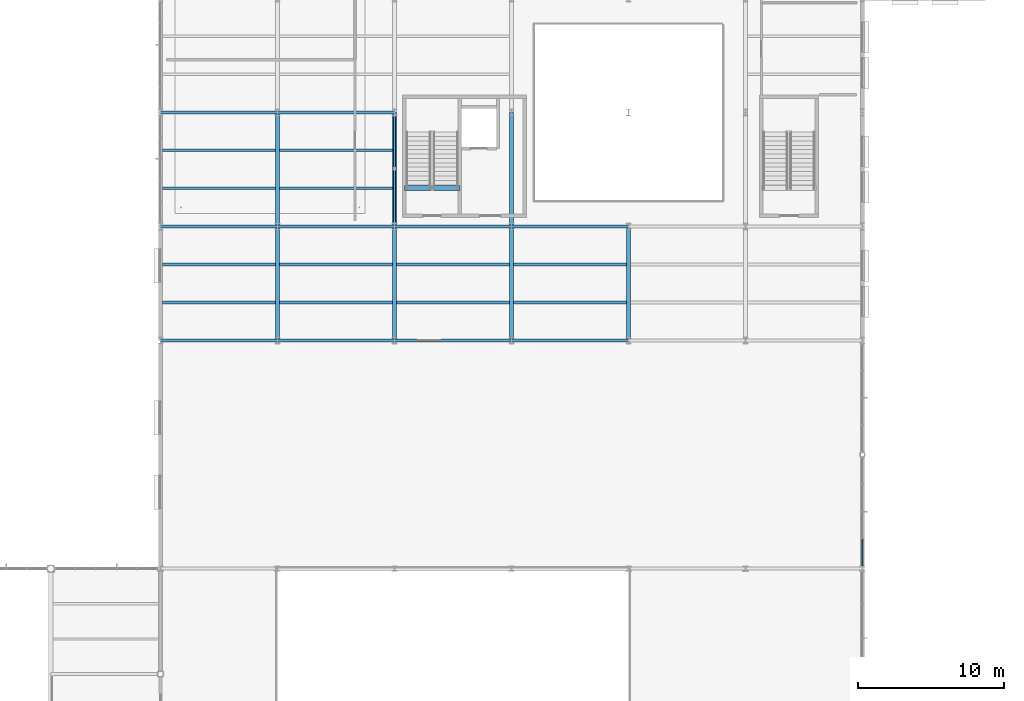
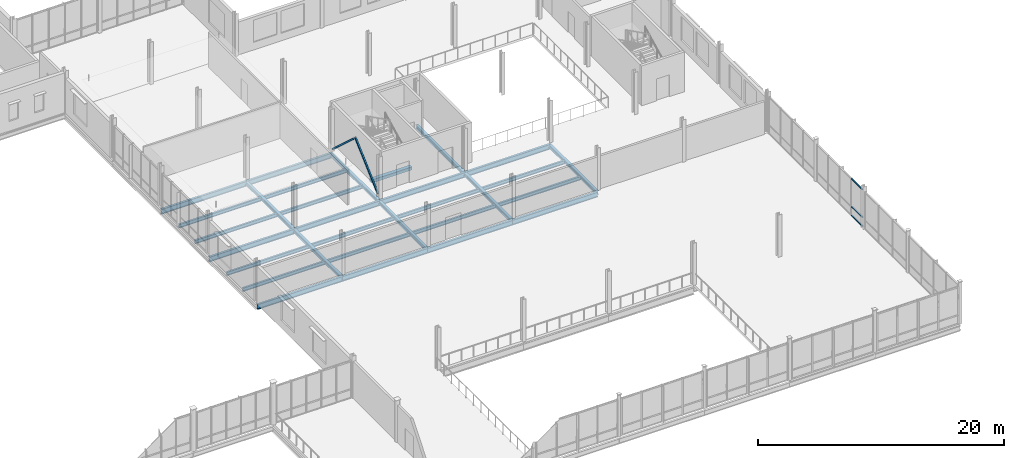
# One storey, part 30 of 75: 30 beams, 5 members, 1 element without a shape of its own.
"""IFC4 building model written with IfcOpenShell, lengths in metres."""

from ifc_helpers import new_model, si_unit, direction, frame, origin, origin_2d, place, context, subcontext, project, spatial, rectangle, hollow_rectangle, i_section, extrude, material, layer, layer_set, material_profile, profile_set, type_object, element, aggregate, save


model = new_model("IFC4")

# Units and contexts
model_context = context("Model", 3, precision=1e-05, world=origin(), true_north=direction((0.0, 1.0)))
body_context = subcontext(model_context, "Body", "Model", "MODEL_VIEW")
ifc_project = project(units=[si_unit("LENGTHUNIT", "METRE"), si_unit("AREAUNIT", "SQUARE_METRE"), si_unit("VOLUMEUNIT", "CUBIC_METRE"), si_unit("PLANEANGLEUNIT", "RADIAN"), si_unit("MASSUNIT", "GRAM", prefix="KILO")], contexts=[model_context])

# Site, building, storey
site_placement = place(None, origin())
site = spatial("IfcSite", under=ifc_project, at=site_placement, CompositionType="ELEMENT")
building_placement = place(site_placement, origin())
building = spatial("IfcBuilding", under=site, at=building_placement, Name="Yukiwa Park Conservatory and Herbarium", CompositionType="ELEMENT")
storey_placement = place(building_placement, frame((0.0, 0.0, 4.800048828125)))
storey = spatial("IfcBuildingStorey", under=building, at=storey_placement, Name="L01", CompositionType="ELEMENT", Elevation=4.800048828125)

# Beams
ifc_material_1 = material(Name="Steel Q355D", Category="steel")
ifc_material_profile_1 = material_profile(ifc_material_1, i_section(OverallWidth=0.25, OverallDepth=0.340087890625, WebThickness=0.009033203125, FlangeThickness=0.013916015625, FilletRadius=0.02001953125, at=origin_2d()), Name="HM 340x250x9x14")
ifc_profile_set_1 = profile_set([ifc_material_profile_1], Name="Steel Q355D")
beam_type_1 = type_object("IfcBeamType", Name="BM-GRD-HM340", PredefinedType="BEAM", material=ifc_profile_set_1)
for number, where, z_axis, x_axis, name in (
    (1, (68.0, 46.805908203125, -0.41015625), (0.0, 1.0, 0.0), (-1.0, 0.0, 0.0), "L01 grid girder Y-127"),
    (2, (68.0, 54.60595703125, -0.41015625), (0.0, 1.0, 0.0), (-1.0, 0.0, 0.0), "L01 grid girder Y-128"),
    (3, (76.0, 46.805908203125, -0.41015625), (0.0, 1.0, 0.0), (-1.0, 0.0, 0.0), "L01 grid girder Y-132"),
    (4, (76.0, 54.60595703125, -0.41015625), (0.0, 1.0, 0.0), (-1.0, 0.0, 0.0), "L01 grid girder Y-133"),
    (5, (84.0, 46.805908203125, -0.41015625), (0.0, 1.0, 0.0), (-1.0, 0.0, 0.0), "L01 grid girder Y-137"),
    (6, (84.0, 54.60595703125, -0.41015625), (0.0, 1.0, 0.0), (-1.0, 0.0, 0.0), "L01 grid girder Y-138"),
    (7, (92.0, 46.805908203125, -0.41015625), (0.0, 1.0, 0.0), (-1.0, 0.0, 0.0), "L01 grid girder Y-141"),
):
    element("IfcBeam", number, at=place(storey_placement, frame(where, z_axis=z_axis, x_axis=x_axis)), inside=storey, type_object=beam_type_1, Name=name, PredefinedType="BEAM", context=body_context, shape_type="SweptSolid", body=[
        extrude(i_section(OverallWidth=0.25, OverallDepth=0.340087890625, WebThickness=0.009033203125, FlangeThickness=0.013916015625, FilletRadius=0.02001953125, at=origin_2d()), origin(), (0.0, 0.0, 1.0), 7.7880859375),
    ])
ifc_material_2 = material(Name="Steel Q355D", Category="steel")
ifc_material_profile_2 = material_profile(ifc_material_2, i_section(OverallWidth=0.199951171875, OverallDepth=0.5, WebThickness=0.010009765625, FlangeThickness=0.01611328125, FilletRadius=0.02001953125, at=origin_2d()), Name="HN 500x200x10x16")
ifc_profile_set_2 = profile_set([ifc_material_profile_2], Name="Steel Q355D")
beam_type_2 = type_object("IfcBeamType", Name="BM-GRD-HN500", PredefinedType="BEAM", material=ifc_profile_set_2)
for number, where, z_axis, x_axis, name in (
    (8, (60.006103515625, 46.800048828125, -0.489990234375), (1.0, 0.0, 0.0), (0.0, 1.0, 0.0), "L01 grid beam X-32"),
    (9, (68.006103515625, 46.800048828125, -0.489990234375), (1.0, 0.0, 0.0), (0.0, 1.0, 0.0), "L01 grid beam X-33"),
    (10, (76.006103515625, 46.800048828125, -0.489990234375), (1.0, 0.0, 0.0), (0.0, 1.0, 0.0), "L01 grid beam X-34"),
    (11, (84.006103515625, 46.800048828125, -0.489990234375), (1.0, 0.0, 0.0), (0.0, 1.0, 0.0), "L01 grid beam X-35"),
    (12, (60.006103515625, 54.60009765625, -0.489990234375), (1.0, 0.0, 0.0), (0.0, 1.0, 0.0), "L01 grid beam X-38"),
    (13, (68.006103515625, 54.60009765625, -0.489990234375), (1.0, 0.0, 0.0), (0.0, 1.0, 0.0), "L01 grid beam X-39"),
    (14, (76.006103515625, 54.60009765625, -0.489990234375), (1.0, 0.0, 0.0), (0.0, 1.0, 0.0), "L01 grid beam X-40"),
    (15, (84.006103515625, 54.60009765625, -0.489990234375), (1.0, 0.0, 0.0), (0.0, 1.0, 0.0), "L01 grid beam X-41"),
    (16, (60.006103515625, 62.39990234375, -0.489990234375), (1.0, 0.0, 0.0), (0.0, 1.0, 0.0), "L01 grid beam X-44"),
    (17, (68.006103515625, 62.39990234375, -0.489990234375), (1.0, 0.0, 0.0), (0.0, 1.0, 0.0), "L01 grid beam X-45"),
):
    element("IfcBeam", number, at=place(storey_placement, frame(where, z_axis=z_axis, x_axis=x_axis)), inside=storey, type_object=beam_type_2, Name=name, PredefinedType="BEAM", context=body_context, shape_type="SweptSolid", body=[
        extrude(i_section(OverallWidth=0.199951171875, OverallDepth=0.5, WebThickness=0.010009765625, FlangeThickness=0.01611328125, FilletRadius=0.02001953125, at=origin_2d()), origin(), (0.0, 0.0, 1.0), 7.98779296875),
    ])
ifc_material_3 = material(Name="Steel Q355D", Category="steel")
ifc_material_profile_3 = material_profile(ifc_material_3, i_section(OverallWidth=0.175048828125, OverallDepth=0.35009765625, WebThickness=0.007080078125, FlangeThickness=0.010986328125, FilletRadius=0.013916015625, at=origin_2d()), Name="HN 350x175x7x11")
ifc_profile_set_3 = profile_set([ifc_material_profile_3], Name="Steel Q355D")
beam_type_3 = type_object("IfcBeamType", Name="BM-JST-HN350", PredefinedType="JOIST", material=ifc_profile_set_3)
for number, where, z_axis, x_axis, name in (
    (18, (60.14599609375, 49.39990234375, -0.4150390625), (1.0, 0.0, 0.0), (0.0, 1.0, 0.0), "L01 composite floor joist 7"),
    (19, (60.14599609375, 52.0, -0.4150390625), (1.0, 0.0, 0.0), (0.0, 1.0, 0.0), "L01 composite floor joist 8"),
    (20, (60.14599609375, 57.199951171875, -0.4150390625), (1.0, 0.0, 0.0), (0.0, 1.0, 0.0), "L01 composite floor joist 9"),
    (21, (60.14599609375, 59.800048828125, -0.4150390625), (1.0, 0.0, 0.0), (0.0, 1.0, 0.0), "L01 composite floor joist 10"),
):
    element("IfcBeam", number, at=place(storey_placement, frame(where, z_axis=z_axis, x_axis=x_axis)), inside=storey, type_object=beam_type_3, Name=name, PredefinedType="JOIST", context=body_context, shape_type="SweptSolid", body=[
        extrude(i_section(OverallWidth=0.175048828125, OverallDepth=0.35009765625, WebThickness=0.007080078125, FlangeThickness=0.010986328125, FilletRadius=0.013916015625, at=origin_2d()), origin(), (0.0, 0.0, 1.0), 7.73291015625),
    ])
for number, where, z_axis, x_axis, name in (
    (22, (68.12109375, 49.39990234375, -0.4150390625), (1.0, 0.0, 0.0), (0.0, 1.0, 0.0), "L01 composite floor joist 17"),
    (23, (68.12109375, 52.0, -0.4150390625), (1.0, 0.0, 0.0), (0.0, 1.0, 0.0), "L01 composite floor joist 18"),
    (24, (68.12109375, 57.199951171875, -0.4150390625), (1.0, 0.0, 0.0), (0.0, 1.0, 0.0), "L01 composite floor joist 19"),
    (25, (68.12109375, 59.800048828125, -0.4150390625), (1.0, 0.0, 0.0), (0.0, 1.0, 0.0), "L01 composite floor joist 20"),
    (26, (76.12109375, 49.39990234375, -0.4150390625), (1.0, 0.0, 0.0), (0.0, 1.0, 0.0), "L01 composite floor joist 27"),
    (27, (76.12109375, 52.0, -0.4150390625), (1.0, 0.0, 0.0), (0.0, 1.0, 0.0), "L01 composite floor joist 28"),
    (28, (84.12109375, 49.39990234375, -0.4150390625), (1.0, 0.0, 0.0), (0.0, 1.0, 0.0), "L01 composite floor joist 33"),
    (29, (84.12109375, 52.0, -0.4150390625), (1.0, 0.0, 0.0), (0.0, 1.0, 0.0), "L01 composite floor joist 34"),
):
    element("IfcBeam", number, at=place(storey_placement, frame(where, z_axis=z_axis, x_axis=x_axis)), inside=storey, type_object=beam_type_3, Name=name, PredefinedType="JOIST", context=body_context, shape_type="SweptSolid", body=[
        extrude(i_section(OverallWidth=0.175048828125, OverallDepth=0.35009765625, WebThickness=0.007080078125, FlangeThickness=0.010986328125, FilletRadius=0.013916015625, at=origin_2d()), origin(), (0.0, 0.0, 1.0), 7.7578125),
    ])
ifc_material_4 = material(Name="Concrete C40", Category="concrete")
ifc_material_profile_4 = material_profile(ifc_material_4, rectangle(XDim=0.35009765625, YDim=0.300048828125, at=origin_2d()), Name="RC 350x300")
ifc_profile_set_4 = profile_set([ifc_material_profile_4], Name="Concrete C40")
beam_type_4 = type_object("IfcBeamType", Name="BM-STAIR-TRIM", PredefinedType="BEAM", material=ifc_profile_set_4)
beam_placement = place(storey_placement, frame((76.679931640625, 57.22998046875, -0.150146484375), z_axis=(1.0, 0.0, 0.0), x_axis=(0.0, 1.0, 0.0)))
element("IfcBeam", 30, at=beam_placement, inside=storey, type_object=beam_type_4, Name="Stair ST-V1 L01 landing trimmer beam", PredefinedType="BEAM", context=body_context, shape_type="SweptSolid", body=[
    extrude(rectangle(XDim=0.35009765625, YDim=0.300048828125, at=origin_2d()), origin(), (0.0, 0.0, 1.0), 3.7900390625),
])

# Members
ifc_material_5 = material(Name="Steel Q355D", Category="steel")
ifc_material_profile_5 = material_profile(ifc_material_5, hollow_rectangle(XDim=0.14990234375, YDim=0.14990234375, WallThickness=0.008056640625, InnerFilletRadius=0.008056640625, OuterFilletRadius=0.01611328125, at=origin_2d()), Name="SHS 150x150x8")
ifc_profile_set_5 = profile_set([ifc_material_profile_5], Name="Steel Q355D")
member_type_1 = type_object("IfcMemberType", Name="MB-BR-SHS150", PredefinedType="BRACE", material=ifc_profile_set_5)
for number, where, z_axis, x_axis, name in (
    (31, (76.0, 54.818603515625, 0.24755859375), (0.0, 0.741386666379, 0.671078095988), (-1.0, 0.0, 0.0), "L01 concentric chevron brace 17"),
    (32, (76.0, 62.181396484375, 0.24755859375), (0.0, -0.741386666379, 0.671078095988), (1.0, 0.0, 0.0), "L01 concentric chevron brace 18"),
):
    element("IfcMember", number, at=place(storey_placement, frame(where, z_axis=z_axis, x_axis=x_axis)), inside=storey, type_object=member_type_1, Name=name, PredefinedType="BRACE", context=body_context, shape_type="SweptSolid", body=[
        extrude(hollow_rectangle(XDim=0.14990234375, YDim=0.14990234375, WallThickness=0.008056640625, InnerFilletRadius=0.008056640625, OuterFilletRadius=0.01611328125, at=origin_2d()), origin(), (0.0, 0.0, 1.0), 4.965576171875),
    ])

# Curtain wall, members
ifc_material_6 = material(Name="Triple Low-E Insulated Glass", Category="glass")
ifc_layer = layer(ifc_material_6, 0.18798828125)
ifc_layer_set = layer_set([ifc_layer], Name="Triple Low-E Insulated Glass")
curtain_wall_type = type_object("IfcCurtainWallType", Name="CW-CONCOURSE-2000", PredefinedType="NOTDEFINED", material=ifc_layer_set)
curtain_wall_placement = place(storey_placement, origin())
curtain_wall = element("IfcCurtainWall", 33, at=curtain_wall_placement, inside=storey, type_object=curtain_wall_type, Name="L01 unitised curtain wall CW-L01-044", PredefinedType="NOTDEFINED")
ifc_material_7 = material(Name="Anodised Aluminium", Category="aluminium")
member_type_2 = type_object("IfcMemberType", Name="MB-CW-TRN-70X130", PredefinedType="USERDEFINED", material=ifc_material_7)
member_1_placement = place(storey_placement, frame((108.0, 32.305908203125, 0.0), z_axis=(0.0, 0.0, 1.0), x_axis=(0.0, 1.0, 0.0)))
member_1 = element("IfcMember", 34, at=member_1_placement, type_object=member_type_2, Name="CW-L01-044 transom 1.1", ObjectType="TRANSOM", PredefinedType="USERDEFINED", context=body_context, shape_type="SweptSolid", body=[
    extrude(rectangle(XDim=1.791748046875, YDim=0.1298828125, at=origin_2d()), origin(), (0.0, 0.0, 1.0), 0.070068359375),
])
member_2_placement = place(storey_placement, frame((108.0, 32.305908203125, 0.86474609375), z_axis=(0.0, 0.0, 1.0), x_axis=(0.0, 1.0, 0.0)))
member_2 = element("IfcMember", 35, at=member_2_placement, type_object=member_type_2, Name="CW-L01-044 transom 1.2", ObjectType="TRANSOM", PredefinedType="USERDEFINED", context=body_context, shape_type="SweptSolid", body=[
    extrude(rectangle(XDim=1.791748046875, YDim=0.1298828125, at=origin_2d()), origin(), (0.0, 0.0, 1.0), 0.070068359375),
])
member_3_placement = place(storey_placement, frame((108.0, 32.305908203125, 3.6298828125), z_axis=(0.0, 0.0, 1.0), x_axis=(0.0, 1.0, 0.0)))
member_3 = element("IfcMember", 36, at=member_3_placement, type_object=member_type_2, Name="CW-L01-044 transom 1.3", ObjectType="TRANSOM", PredefinedType="USERDEFINED", context=body_context, shape_type="SweptSolid", body=[
    extrude(rectangle(XDim=1.791748046875, YDim=0.1298828125, at=origin_2d()), origin(), (0.0, 0.0, 1.0), 0.070068359375),
])
aggregate(curtain_wall, [member_1, member_2, member_3])

save(model, "model.ifc")
